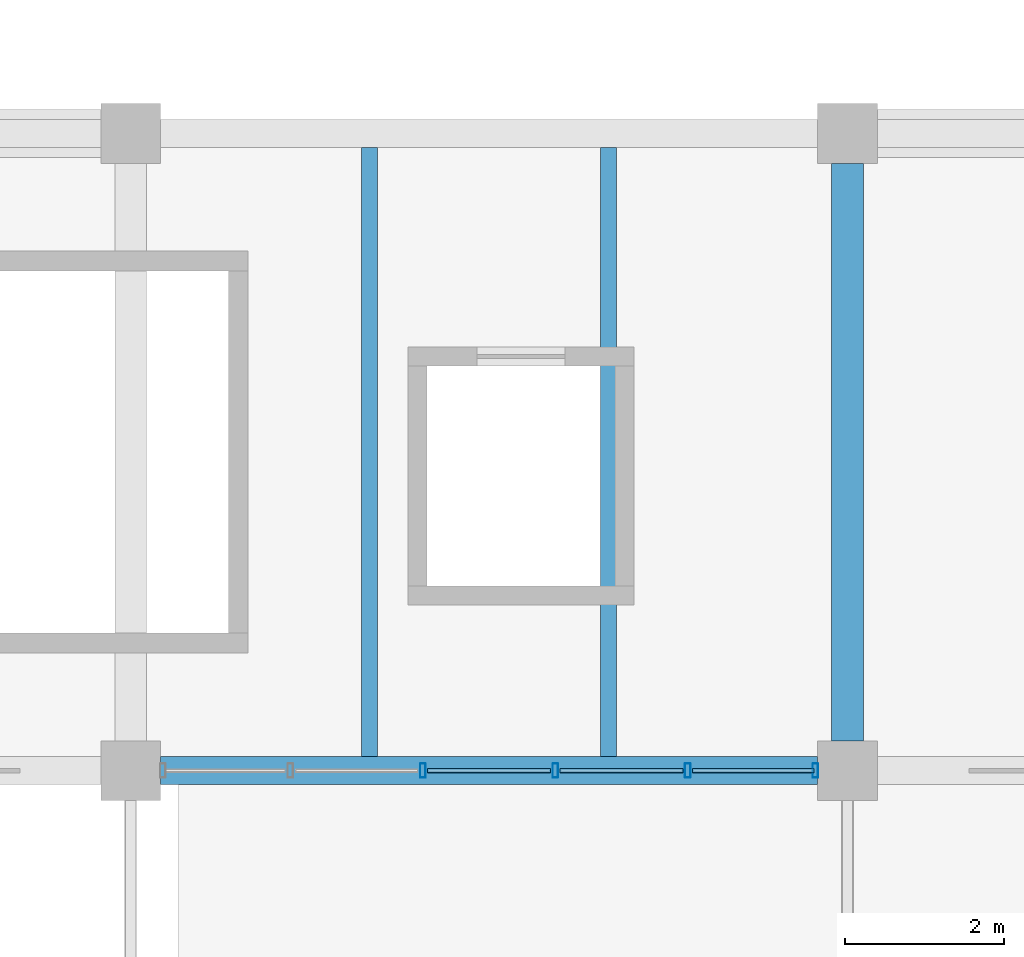
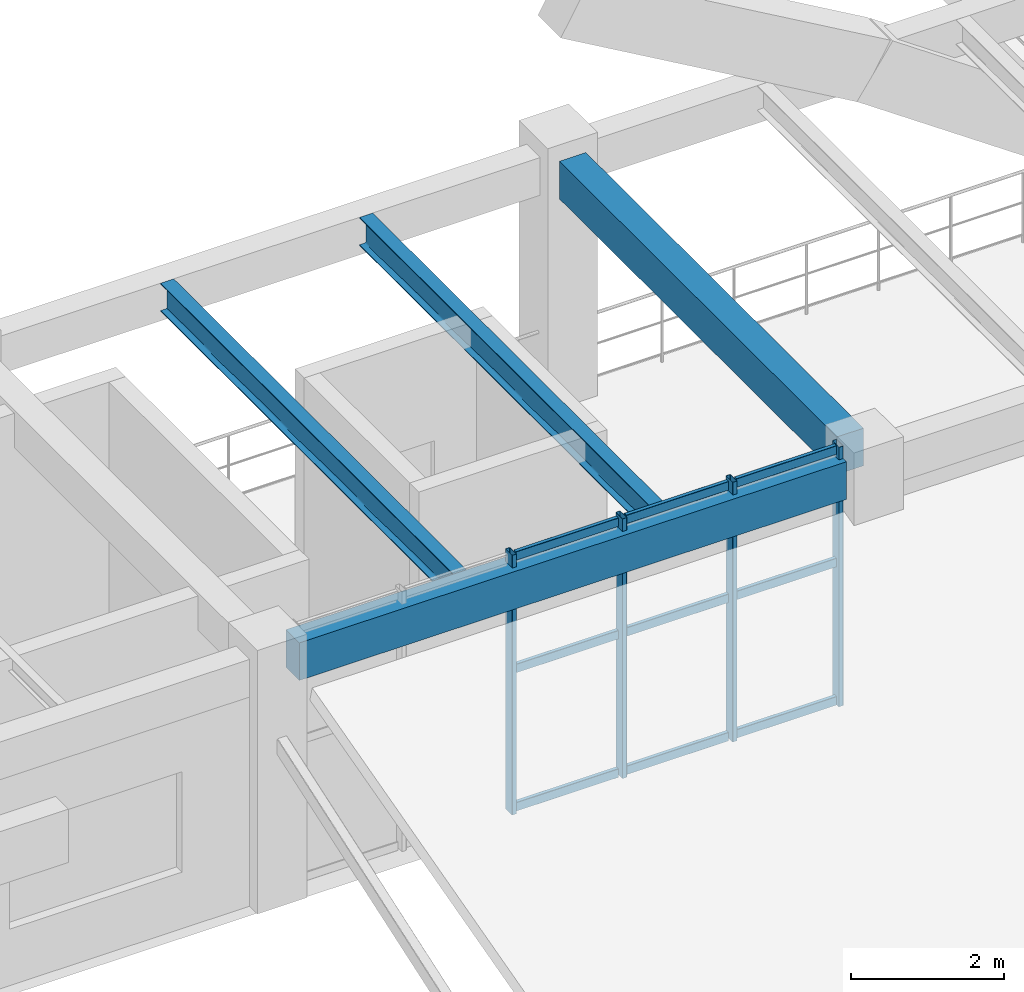
# One storey, part 29 of 148: 13 members, 4 beams, 1 element without a shape of its own.
"""IFC4 building model written with IfcOpenShell, lengths in metres."""

from ifc_helpers import new_model, si_unit, derived_unit, direction, frame, origin, origin_2d, place, context, subcontext, project, spatial, rectangle, hollow_rectangle, i_section, extrude, material, material_profile, profile_set, type_object, element, aggregate, save


model = new_model("IFC4")

# Units and contexts
model_context = context("Model", 3, precision=1e-05, world=origin(), true_north=direction((0.0, 1.0)))
body_context = subcontext(model_context, "Body", "Model", "MODEL_VIEW")
ifc_project = project(units=[si_unit("LENGTHUNIT", "METRE"), si_unit("AREAUNIT", "SQUARE_METRE"), si_unit("VOLUMEUNIT", "CUBIC_METRE"), si_unit("PLANEANGLEUNIT", "RADIAN"), si_unit("MASSUNIT", "GRAM", prefix="KILO"), derived_unit("THERMALTRANSMITTANCEUNIT", [(si_unit("MASSUNIT", "GRAM", prefix="KILO"), 1), (si_unit("TIMEUNIT", "SECOND"), -3), (si_unit("THERMODYNAMICTEMPERATUREUNIT", "KELVIN"), -1)])], contexts=[model_context])

# Site, building, storey
site_placement = place(None, origin())
site = spatial("IfcSite", under=ifc_project, at=site_placement, CompositionType="ELEMENT")
building_placement = place(site_placement, origin())
building = spatial("IfcBuilding", under=site, at=building_placement, Name="Zhenchuan Archway Interchange", CompositionType="ELEMENT")
storey_placement = place(building_placement, frame((0.0, 0.0, 10.199951171875)))
storey = spatial("IfcBuildingStorey", under=building, at=storey_placement, Name="L02", CompositionType="ELEMENT", Elevation=10.199951171875)

# Beam
ifc_material_1 = material(Name="Concrete C40", Category="concrete")
ifc_material_profile_1 = material_profile(ifc_material_1, rectangle(XDim=0.39990234375, YDim=0.60009765625, at=origin_2d()), Name="RC 400x600")
ifc_profile_set_1 = profile_set([ifc_material_profile_1], Name="Concrete C40")
beam_type_1 = type_object("IfcBeamType", Name="BM_RC_400x600", PredefinedType="BEAM", material=ifc_profile_set_1)
beam_1_placement = place(storey_placement, frame((54.0, 24.375, 3.64013671875), z_axis=(0.0, 1.0, 0.0), x_axis=(-1.0, 0.0, 0.0)))
element("IfcBeam", 1, at=beam_1_placement, inside=storey, type_object=beam_type_1, Name="Beam 7:D-E (L02)", PredefinedType="BEAM", context=body_context, shape_type="SweptSolid", body=[
    extrude(rectangle(XDim=0.39990234375, YDim=0.60009765625, at=origin_2d()), origin(), (0.0, 0.0, 1.0), 7.25),
])

# Curtain wall, members
ifc_material_2 = material(Name="Anodised Aluminium", Category="aluminium")
curtain_wall_type = type_object("IfcCurtainWallType", Name="CW_UNIT_1", PredefinedType="NOTDEFINED", material=ifc_material_2)
curtain_wall_placement = place(storey_placement, origin())
curtain_wall = element("IfcCurtainWall", 2, at=curtain_wall_placement, inside=storey, type_object=curtain_wall_type, Name="Unitised curtain wall CW:L02:124", PredefinedType="NOTDEFINED")
ifc_material_profile_2 = material_profile(ifc_material_2, hollow_rectangle(XDim=0.070068359375, YDim=0.179931640625, WallThickness=0.00390625, InnerFilletRadius=0.00390625, OuterFilletRadius=0.008056640625, at=origin_2d()), Name="ALU 180x70x4")
ifc_profile_set_2 = profile_set([ifc_material_profile_2], Name="Anodised Aluminium")
member_type_1 = type_object("IfcMemberType", Name="CW_MUL_180", PredefinedType="MULLION", material=ifc_profile_set_2)
member_1_placement = place(storey_placement, frame((53.596923828125, 24.0, 0.0), z_axis=(0.0, 0.0, 1.0), x_axis=(1.0, 0.0, 0.0)))
member_1 = element("IfcMember", 3, at=member_1_placement, type_object=member_type_1, Name="CW:L02:124 mullion 0", PredefinedType="MULLION", context=body_context, shape_type="SweptSolid", body=[
    extrude(hollow_rectangle(XDim=0.070068359375, YDim=0.179931640625, WallThickness=0.00390625, InnerFilletRadius=0.00390625, OuterFilletRadius=0.008056640625, at=origin_2d()), origin(), (0.0, 0.0, 1.0), 4.14013671875),
])
member_2_placement = place(storey_placement, frame((51.994140625, 24.0, 0.0), z_axis=(0.0, 0.0, 1.0), x_axis=(1.0, 0.0, 0.0)))
member_2 = element("IfcMember", 4, at=member_2_placement, type_object=member_type_1, Name="CW:L02:124 mullion 1", PredefinedType="MULLION", context=body_context, shape_type="SweptSolid", body=[
    extrude(hollow_rectangle(XDim=0.070068359375, YDim=0.179931640625, WallThickness=0.00390625, InnerFilletRadius=0.00390625, OuterFilletRadius=0.008056640625, at=origin_2d()), origin(), (0.0, 0.0, 1.0), 4.14013671875),
])
member_3_placement = place(storey_placement, frame((50.331298828125, 24.0, 0.0), z_axis=(0.0, 0.0, 1.0), x_axis=(1.0, 0.0, 0.0)))
member_3 = element("IfcMember", 5, at=member_3_placement, type_object=member_type_1, Name="CW:L02:124 mullion 2", PredefinedType="MULLION", context=body_context, shape_type="SweptSolid", body=[
    extrude(hollow_rectangle(XDim=0.070068359375, YDim=0.179931640625, WallThickness=0.00390625, InnerFilletRadius=0.00390625, OuterFilletRadius=0.008056640625, at=origin_2d()), origin(), (0.0, 0.0, 1.0), 4.14013671875),
])
member_4_placement = place(storey_placement, frame((48.668701171875, 24.0, 0.0), z_axis=(0.0, 0.0, 1.0), x_axis=(1.0, 0.0, 0.0)))
member_4 = element("IfcMember", 6, at=member_4_placement, type_object=member_type_1, Name="CW:L02:124 mullion 3", PredefinedType="MULLION", context=body_context, shape_type="SweptSolid", body=[
    extrude(hollow_rectangle(XDim=0.070068359375, YDim=0.179931640625, WallThickness=0.00390625, InnerFilletRadius=0.00390625, OuterFilletRadius=0.008056640625, at=origin_2d()), origin(), (0.0, 0.0, 1.0), 4.14013671875),
])
ifc_material_profile_3 = material_profile(ifc_material_2, hollow_rectangle(XDim=0.06005859375, YDim=0.139892578125, WallThickness=0.00341796875, InnerFilletRadius=0.00341796875, OuterFilletRadius=0.007080078125, at=origin_2d()), Name="ALU 140x60x3.5")
ifc_profile_set_3 = profile_set([ifc_material_profile_3], Name="Anodised Aluminium")
member_type_2 = type_object("IfcMemberType", Name="CW_TRN_140", PredefinedType="USERDEFINED", material=ifc_profile_set_3)
member_5_placement = place(storey_placement, frame((53.576904296875, 24.0, 0.06005859375), z_axis=(-1.0, 0.0, 0.0), x_axis=(0.0, -1.0, 0.0)))
member_5 = element("IfcMember", 7, at=member_5_placement, type_object=member_type_2, Name="CW:L02:124 transom 0-1", ObjectType="TRANSOM", PredefinedType="USERDEFINED", context=body_context, shape_type="SweptSolid", body=[
    extrude(hollow_rectangle(XDim=0.06005859375, YDim=0.139892578125, WallThickness=0.00341796875, InnerFilletRadius=0.00341796875, OuterFilletRadius=0.007080078125, at=origin_2d()), origin(), (0.0, 0.0, 1.0), 1.522705078125),
])
member_6_placement = place(storey_placement, frame((53.576904296875, 24.0, 2.26611328125), z_axis=(-1.0, 0.0, 0.0), x_axis=(0.0, -1.0, 0.0)))
member_6 = element("IfcMember", 8, at=member_6_placement, type_object=member_type_2, Name="CW:L02:124 transom 0-2", ObjectType="TRANSOM", PredefinedType="USERDEFINED", context=body_context, shape_type="SweptSolid", body=[
    extrude(hollow_rectangle(XDim=0.06005859375, YDim=0.139892578125, WallThickness=0.00341796875, InnerFilletRadius=0.00341796875, OuterFilletRadius=0.007080078125, at=origin_2d()), origin(), (0.0, 0.0, 1.0), 1.522705078125),
])
member_7_placement = place(storey_placement, frame((53.576904296875, 24.0, 4.06005859375), z_axis=(-1.0, 0.0, 0.0), x_axis=(0.0, -1.0, 0.0)))
member_7 = element("IfcMember", 9, at=member_7_placement, type_object=member_type_2, Name="CW:L02:124 transom 0-3", ObjectType="TRANSOM", PredefinedType="USERDEFINED", context=body_context, shape_type="SweptSolid", body=[
    extrude(hollow_rectangle(XDim=0.06005859375, YDim=0.139892578125, WallThickness=0.00341796875, InnerFilletRadius=0.00341796875, OuterFilletRadius=0.007080078125, at=origin_2d()), origin(), (0.0, 0.0, 1.0), 1.522705078125),
])
member_8_placement = place(storey_placement, frame((51.93408203125, 24.0, 0.06005859375), z_axis=(-1.0, 0.0, 0.0), x_axis=(0.0, -1.0, 0.0)))
member_8 = element("IfcMember", 10, at=member_8_placement, type_object=member_type_2, Name="CW:L02:124 transom 1-1", ObjectType="TRANSOM", PredefinedType="USERDEFINED", context=body_context, shape_type="SweptSolid", body=[
    extrude(hollow_rectangle(XDim=0.06005859375, YDim=0.139892578125, WallThickness=0.00341796875, InnerFilletRadius=0.00341796875, OuterFilletRadius=0.007080078125, at=origin_2d()), origin(), (0.0, 0.0, 1.0), 1.542724609375),
])
member_9_placement = place(storey_placement, frame((51.93408203125, 24.0, 2.26611328125), z_axis=(-1.0, 0.0, 0.0), x_axis=(0.0, -1.0, 0.0)))
member_9 = element("IfcMember", 11, at=member_9_placement, type_object=member_type_2, Name="CW:L02:124 transom 1-2", ObjectType="TRANSOM", PredefinedType="USERDEFINED", context=body_context, shape_type="SweptSolid", body=[
    extrude(hollow_rectangle(XDim=0.06005859375, YDim=0.139892578125, WallThickness=0.00341796875, InnerFilletRadius=0.00341796875, OuterFilletRadius=0.007080078125, at=origin_2d()), origin(), (0.0, 0.0, 1.0), 1.542724609375),
])
member_10_placement = place(storey_placement, frame((51.93408203125, 24.0, 4.06005859375), z_axis=(-1.0, 0.0, 0.0), x_axis=(0.0, -1.0, 0.0)))
member_10 = element("IfcMember", 12, at=member_10_placement, type_object=member_type_2, Name="CW:L02:124 transom 1-3", ObjectType="TRANSOM", PredefinedType="USERDEFINED", context=body_context, shape_type="SweptSolid", body=[
    extrude(hollow_rectangle(XDim=0.06005859375, YDim=0.139892578125, WallThickness=0.00341796875, InnerFilletRadius=0.00341796875, OuterFilletRadius=0.007080078125, at=origin_2d()), origin(), (0.0, 0.0, 1.0), 1.542724609375),
])
member_11_placement = place(storey_placement, frame((50.271484375, 24.0, 0.06005859375), z_axis=(-1.0, 0.0, 0.0), x_axis=(0.0, -1.0, 0.0)))
member_11 = element("IfcMember", 13, at=member_11_placement, type_object=member_type_2, Name="CW:L02:124 transom 2-1", ObjectType="TRANSOM", PredefinedType="USERDEFINED", context=body_context, shape_type="SweptSolid", body=[
    extrude(hollow_rectangle(XDim=0.06005859375, YDim=0.139892578125, WallThickness=0.00341796875, InnerFilletRadius=0.00341796875, OuterFilletRadius=0.007080078125, at=origin_2d()), origin(), (0.0, 0.0, 1.0), 1.54296875),
])
member_12_placement = place(storey_placement, frame((50.271484375, 24.0, 2.26611328125), z_axis=(-1.0, 0.0, 0.0), x_axis=(0.0, -1.0, 0.0)))
member_12 = element("IfcMember", 14, at=member_12_placement, type_object=member_type_2, Name="CW:L02:124 transom 2-2", ObjectType="TRANSOM", PredefinedType="USERDEFINED", context=body_context, shape_type="SweptSolid", body=[
    extrude(hollow_rectangle(XDim=0.06005859375, YDim=0.139892578125, WallThickness=0.00341796875, InnerFilletRadius=0.00341796875, OuterFilletRadius=0.007080078125, at=origin_2d()), origin(), (0.0, 0.0, 1.0), 1.54296875),
])
member_13_placement = place(storey_placement, frame((50.271484375, 24.0, 4.06005859375), z_axis=(-1.0, 0.0, 0.0), x_axis=(0.0, -1.0, 0.0)))
member_13 = element("IfcMember", 15, at=member_13_placement, type_object=member_type_2, Name="CW:L02:124 transom 2-3", ObjectType="TRANSOM", PredefinedType="USERDEFINED", context=body_context, shape_type="SweptSolid", body=[
    extrude(hollow_rectangle(XDim=0.06005859375, YDim=0.139892578125, WallThickness=0.00341796875, InnerFilletRadius=0.00341796875, OuterFilletRadius=0.007080078125, at=origin_2d()), origin(), (0.0, 0.0, 1.0), 1.54296875),
])
aggregate(curtain_wall, [member_1, member_2, member_3, member_4, member_5, member_6, member_7, member_8, member_9, member_10, member_11, member_12, member_13])

# Beams
ifc_material_3 = material(Name="Steel Q355", Category="steel")
ifc_material_profile_4 = material_profile(ifc_material_3, i_section(OverallWidth=0.199951171875, OverallDepth=0.449951171875, WebThickness=0.009033203125, FlangeThickness=0.013916015625, FilletRadius=0.01806640625, at=origin_2d()), Name="HN 450x200")
ifc_profile_set_4 = profile_set([ifc_material_profile_4], Name="Steel Q355")
beam_type_2 = type_object("IfcBeamType", Name="JST_STL_HN450", PredefinedType="JOIST", material=ifc_profile_set_4)
for number, where, z_axis, x_axis, name in (
    (16, (48.0, 24.175048828125, 3.715087890625), (0.0, 1.0, 0.0), (-1.0, 0.0, 0.0), "Secondary joist 6-7/D-E #1 (L02)"),
    (17, (51.0, 24.175048828125, 3.715087890625), (0.0, 1.0, 0.0), (-1.0, 0.0, 0.0), "Secondary joist 6-7/D-E #2 (L02)"),
):
    element("IfcBeam", number, at=place(storey_placement, frame(where, z_axis=z_axis, x_axis=x_axis)), inside=storey, type_object=beam_type_2, Name=name, PredefinedType="JOIST", context=body_context, shape_type="SweptSolid", body=[
        extrude(i_section(OverallWidth=0.199951171875, OverallDepth=0.449951171875, WebThickness=0.009033203125, FlangeThickness=0.013916015625, FilletRadius=0.01806640625, at=origin_2d()), origin(), (0.0, 0.0, 1.0), 7.64990234375),
    ])
ifc_material_profile_5 = material_profile(ifc_material_1, rectangle(XDim=0.35009765625, YDim=0.60009765625, at=origin_2d()), Name="RC 350x600")
ifc_profile_set_5 = profile_set([ifc_material_profile_5], Name="Concrete C40")
beam_type_3 = type_object("IfcBeamType", Name="SP_RC_350x600", PredefinedType="SPANDREL", material=ifc_profile_set_5)
beam_2_placement = place(storey_placement, frame((45.375, 24.0, 3.64013671875), z_axis=(1.0, 0.0, 0.0), x_axis=(0.0, 1.0, 0.0)))
element("IfcBeam", 18, at=beam_2_placement, inside=storey, type_object=beam_type_3, Name="Beam D:6-7 (L02)", PredefinedType="SPANDREL", context=body_context, shape_type="SweptSolid", body=[
    extrude(rectangle(XDim=0.35009765625, YDim=0.60009765625, at=origin_2d()), origin(), (0.0, 0.0, 1.0), 8.25),
])

save(model, "model.ifc")
